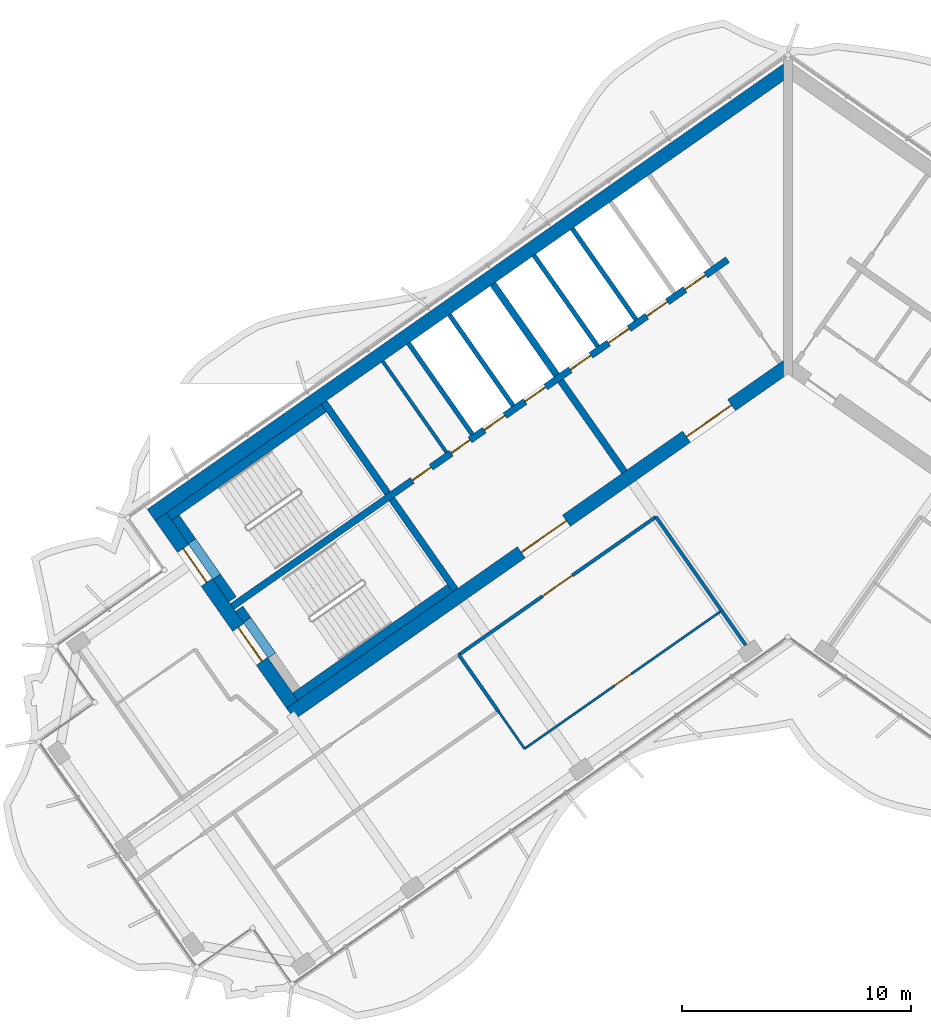
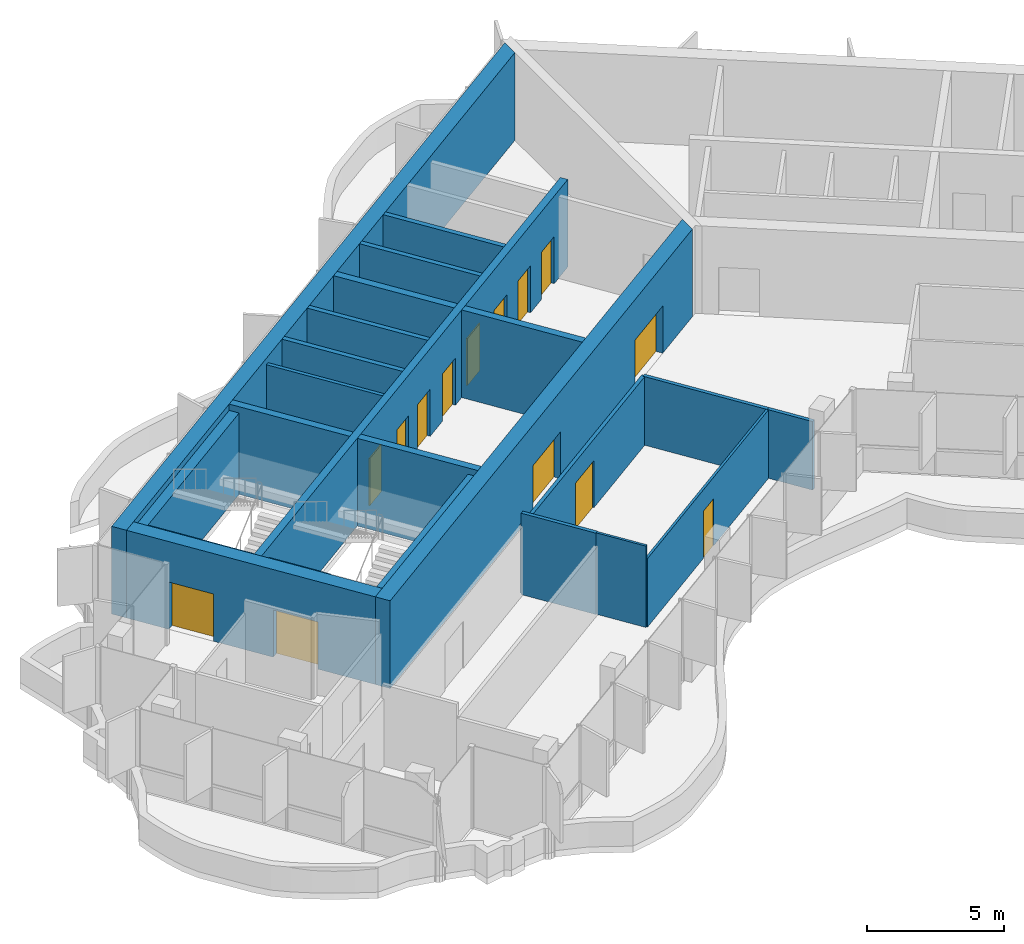
# One storey, part 9 of 17: 26 walls, 14 doors, 14 openings.
"""IFC4 building model written with IfcOpenShell, lengths in metres."""

import ifcopenshell
import ifcopenshell.guid

model = None  # the IFC model being written
_history = None  # IfcOwnerHistory: only IFC2X3 demands one
_inside = {}  # id of a spatial element -> (the spatial element, [elements in it])
_under = {}  # id of a project, library or spatial element -> (it, [spatial elements below it])
_declared = {}  # id of a project -> (the project, [libraries it declares])
_typed = {}  # id of a type object -> (the type object, [elements of that type])
_made_of = {}  # id of a material, layer set ... -> (it, [elements and type objects made of it])


def new_model(schema):
    """Start an empty IFC model of exactly this schema.

    Asked for "IFC4X3", IfcOpenShell would pick the latest addendum, in which some entities
    have other attributes; the version numbers below select the first issue.
    IFC2X3 requires an IfcOwnerHistory on every rooted entity: one is made here for all.
    """
    global model, _history
    if schema == "IFC4X3":
        model = ifcopenshell.file(schema_version=(4, 3, 0, 0))
    else:
        model = ifcopenshell.file(schema=schema)
    _inside.clear()
    _under.clear()
    _declared.clear()
    _typed.clear()
    _made_of.clear()
    _history = None
    if model.schema == "IFC2X3":
        org = make("IfcOrganization", Name="unknown")
        user = make(
            "IfcPersonAndOrganization",
            ThePerson=make("IfcPerson", FamilyName="unknown"),
            TheOrganization=org,
        )
        app = make(
            "IfcApplication",
            ApplicationDeveloper=org,
            Version="unknown",
            ApplicationFullName="unknown",
            ApplicationIdentifier="unknown",
        )
        _history = make(
            "IfcOwnerHistory",
            OwningUser=user,
            OwningApplication=app,
            ChangeAction="ADDED",
            CreationDate=0,
        )
    return model


def make(cls, **values):
    """One entity of the class cls with the attributes given. An attribute that is None is left unset."""
    return model.create_entity(
        cls, **{name: value for name, value in values.items() if value is not None}
    )


def rooted(cls, **values):
    """An entity with a GlobalId (a new one), such as an element, a storey or a relation."""
    return make(cls, GlobalId=ifcopenshell.guid.new(), OwnerHistory=_history, **values)


def si_unit(unit_type, name, prefix=None):
    """IfcSIUnit, for example si_unit("LENGTHUNIT", "METRE", prefix="MILLI")."""
    return make("IfcSIUnit", UnitType=unit_type, Prefix=prefix, Name=name)


def assignment(units):
    """IfcUnitAssignment: the units of a project."""
    return None if units is None else make("IfcUnitAssignment", Units=units)


def point(xyz):
    """IfcCartesianPoint."""
    return None if xyz is None else make("IfcCartesianPoint", Coordinates=xyz)


def direction(xyz):
    """IfcDirection."""
    return None if xyz is None else make("IfcDirection", DirectionRatios=xyz)


def frame(location, z_axis=None, x_axis=None):
    """IfcAxis2Placement3D, a coordinate frame: its origin and axes. An axis left out is left unset."""
    return make(
        "IfcAxis2Placement3D",
        Location=point(location),
        Axis=direction(z_axis),
        RefDirection=direction(x_axis),
    )


def frame_2d(location, x_axis=None):
    """IfcAxis2Placement2D, a coordinate frame in the plane: its origin and x axis."""
    return make(
        "IfcAxis2Placement2D", Location=point(location), RefDirection=direction(x_axis)
    )


def origin():
    """The frame at (0, 0, 0) with its axes left unset."""
    return frame((0.0, 0.0, 0.0))


def place(relative_to, where):
    """IfcLocalPlacement: puts the frame where relative to a parent placement (None: the world)."""
    return make(
        "IfcLocalPlacement", PlacementRelTo=relative_to, RelativePlacement=where
    )


def context(
    kind, dimensions, precision=None, world=None, true_north=None, identifier=None
):
    """IfcGeometricRepresentationContext, for example the 3D "Model" context."""
    return make(
        "IfcGeometricRepresentationContext",
        ContextIdentifier=identifier,
        ContextType=kind,
        CoordinateSpaceDimension=dimensions,
        Precision=precision,
        WorldCoordinateSystem=world,
        TrueNorth=true_north,
    )


def subcontext(parent, identifier, kind, view, scale=None):
    """IfcGeometricRepresentationSubContext, for example "Body" below "Model"."""
    return make(
        "IfcGeometricRepresentationSubContext",
        ContextIdentifier=identifier,
        ContextType=kind,
        ParentContext=parent,
        TargetScale=scale,
        TargetView=view,
    )


def project(units=None, contexts=None):
    """IfcProject with its units and contexts."""
    return rooted(
        "IfcProject",
        Name="project",
        RepresentationContexts=contexts,
        UnitsInContext=assignment(units),
    )


def spatial(cls, under=None, at=None, **own):
    """A site, building, storey or space (cls), placed at a placement, below another one or the project."""
    s = rooted(cls, ObjectPlacement=at, **own)
    if under is not None:
        _under.setdefault(under.id(), (under, []))[1].append(s)
    return s


def polyline(points):
    """IfcPolyline through the points."""
    return make("IfcPolyline", Points=[point(p) for p in points])


def profile(cls, at=None, kind="AREA", **sizes):
    """A parametric profile (cls). Its sizes go by their IFC names, for example OverallWidth=200.0."""
    return make(cls, ProfileType=kind, Position=at, **sizes)


def rectangle(**sizes):
    """IfcRectangleProfileDef."""
    return profile("IfcRectangleProfileDef", **sizes)


def outline(outer, holes=None, kind="AREA"):
    """IfcArbitraryClosedProfileDef: a profile drawn as a closed curve; with holes, ...WithVoids."""
    if holes is None:
        return make("IfcArbitraryClosedProfileDef", ProfileType=kind, OuterCurve=outer)
    return make(
        "IfcArbitraryProfileDefWithVoids",
        ProfileType=kind,
        OuterCurve=outer,
        InnerCurves=holes,
    )


def extrude(swept, where, along, depth):
    """IfcExtrudedAreaSolid: the profile swept, set in the frame where, extruded along a direction by depth."""
    return make(
        "IfcExtrudedAreaSolid",
        SweptArea=swept,
        Position=where,
        ExtrudedDirection=direction(along),
        Depth=depth,
    )


def shape(context_of_items, identifier, shape_type, items):
    """IfcShapeRepresentation: the items that make up one representation, for example the "Body"."""
    return make(
        "IfcShapeRepresentation",
        ContextOfItems=context_of_items,
        RepresentationIdentifier=identifier,
        RepresentationType=shape_type,
        Items=items,
    )


def material(Name=None, Category=None):
    """IfcMaterial."""
    return make("IfcMaterial", Name=Name, Category=Category)


def layer(
    of_material, thickness, ventilated=None, Name=None, Category=None, Priority=None
):
    """IfcMaterialLayer: one layer of a wall or slab, of a material (None: an air gap)."""
    return make(
        "IfcMaterialLayer",
        Material=of_material,
        LayerThickness=thickness,
        IsVentilated=ventilated,
        Name=Name,
        Category=Category,
        Priority=Priority,
    )


def layer_set(layers, Name=None):
    """IfcMaterialLayerSet."""
    return make("IfcMaterialLayerSet", MaterialLayers=layers, LayerSetName=Name)


def made_of(thing, what):
    """Note that an element or type object is made of a material, layer set ...; save() writes the relation."""
    if what is not None:
        _made_of.setdefault(what.id(), (what, []))[1].append(thing)
    return thing


def type_object(cls, material=None, **own):
    """A type object (cls), such as IfcWallType, which elements share."""
    return made_of(rooted(cls, **own), material)


def element(
    cls,
    number,
    at=None,
    inside=None,
    cuts=None,
    type_object=None,
    material=None,
    context=None,
    identifier="Body",
    shape_type=None,
    held_by="IfcProductDefinitionShape",
    body=None,
    shapes=None,
    **own,
):
    """One element of the class cls, such as IfcWall. Its Tag is "e" and its number.

    at: its placement. inside: the storey or other place that contains it. cuts: it is an
    opening in that element (IfcRelVoidsElement). A single representation is given by context,
    identifier, shape_type and body (its items); several are given by shapes. held_by: the class
    of the entity that holds the representations. save() writes the other relations.
    """
    e = rooted(cls, Tag="e%d" % number, ObjectPlacement=at, **own)
    if body is not None:
        shapes = [shape(context, identifier, shape_type, body)]
    if shapes is not None:
        e.Representation = make(held_by, Representations=shapes)
    if inside is not None:
        _inside.setdefault(inside.id(), (inside, []))[1].append(e)
    if cuts is not None:
        rooted(
            "IfcRelVoidsElement", RelatingBuildingElement=cuts, RelatedOpeningElement=e
        )
    if type_object is not None:
        _typed.setdefault(type_object.id(), (type_object, []))[1].append(e)
    return made_of(e, material)


def fill(opening, filler):
    """IfcRelFillsElement: the door or window that sits in an opening."""
    return rooted(
        "IfcRelFillsElement",
        RelatingOpeningElement=opening,
        RelatedBuildingElement=filler,
    )


def aggregate(whole, parts):
    """IfcRelAggregates: a whole, such as a stair, and the parts it consists of."""
    return rooted("IfcRelAggregates", RelatingObject=whole, RelatedObjects=parts)


def save(model, path):
    """Write the relations noted so far, then the file.

    IfcRelAggregates (storeys below a building ...), IfcRelContainedInSpatialStructure (elements
    in a storey), IfcRelDefinesByType, IfcRelAssociatesMaterial and IfcRelDeclares: one each for
    every whole, place, type object, material and project.
    """
    for whole, parts in _under.values():
        aggregate(whole, parts)
    for where, things in _inside.values():
        rooted(
            "IfcRelContainedInSpatialStructure",
            RelatedElements=things,
            RelatingStructure=where,
        )
    for kind, things in _typed.values():
        rooted("IfcRelDefinesByType", RelatedObjects=things, RelatingType=kind)
    for what, things in _made_of.values():
        rooted("IfcRelAssociatesMaterial", RelatedObjects=things, RelatingMaterial=what)
    for by, libraries in _declared.values():
        rooted("IfcRelDeclares", RelatingContext=by, RelatedDefinitions=libraries)
    model.write(path)


model = new_model("IFC4")

# Units and contexts
model_context = context("Model", 3, precision=1e-05, world=origin(), true_north=direction((0.0, 1.0)))
body_context = subcontext(model_context, "Body", "Model", "MODEL_VIEW")
ifc_project = project(units=[si_unit("LENGTHUNIT", "METRE"), si_unit("AREAUNIT", "SQUARE_METRE"), si_unit("VOLUMEUNIT", "CUBIC_METRE"), si_unit("PLANEANGLEUNIT", "RADIAN"), si_unit("MASSUNIT", "GRAM", prefix="KILO")], contexts=[model_context])

# Site, building, storey
site_placement = place(None, origin())
site = spatial("IfcSite", under=ifc_project, at=site_placement, CompositionType="ELEMENT")
building_placement = place(site_placement, origin())
building = spatial("IfcBuilding", under=site, at=building_placement, Name="Tel Ilan Convention Tower", CompositionType="ELEMENT")
storey_placement = place(building_placement, frame((0.0, 0.0, 287.800048828125)))
storey = spatial("IfcBuildingStorey", under=building, at=storey_placement, Name="L68", CompositionType="ELEMENT", Elevation=287.800048828125)

# Walls
ifc_material_1 = material(Name="Gypsum Plasterboard on Steel Stud", Category="steel")
ifc_layer_1 = layer(ifc_material_1, 0.14990234375)
ifc_layer_set_1 = layer_set([ifc_layer_1], Name="Core Room Partition Wall 150 mm EI 60")
wall_type_1 = type_object("IfcWallType", Name="Core Room Partition Wall 150 mm EI 60", PredefinedType="PARTITIONING", material=ifc_layer_set_1)
wall_1_placement = place(storey_placement, frame((-14.909423828125, -4.64111328125, 0.0), z_axis=(0.0, 0.0, 1.0), x_axis=(-0.573560315113, 0.819163332265, 0.0)))
element("IfcWall", 1, at=wall_1_placement, inside=storey, type_object=wall_type_1, Name="L68 core wall bank-W2-split", PredefinedType="PARTITIONING", context=body_context, shape_type="SweptSolid", body=[
    extrude(rectangle(XDim=4.849853515625, YDim=0.14990234375, at=frame_2d((2.4248046875, 0.0))), origin(), (0.0, 0.0, 1.0), 3.619873046875),
])
ifc_material_2 = material(Name="Concrete C40/50", Category="concrete")
ifc_layer_2 = layer(ifc_material_2, 0.300048828125)
ifc_layer_set_2 = layer_set([ifc_layer_2], Name="Core Shear Wall 300 mm C40/50")
wall_type_2 = type_object("IfcWallType", Name="Core Shear Wall 300 mm C40/50", PredefinedType="SHEAR", material=ifc_layer_set_2)
wall_2_placement = place(storey_placement, frame((-7.142822265625, -5.48974609375, 0.0), z_axis=(0.0, 0.0, 1.0), x_axis=(-0.573617744349, 0.819123118565, 0.0)))
element("IfcWall", 2, at=wall_2_placement, inside=storey, type_object=wall_type_2, Name="L68 core wall W-cross1-1", PredefinedType="SHEAR", context=body_context, shape_type="SweptSolid", body=[
    extrude(outline(polyline([(4.85009765625, 0.14990234375), (0.0, 0.150146484375), (0.0, -0.14990234375), (4.85009765625, -0.150146484375), (4.85009765625, 0.14990234375)])), origin(), (0.0, 0.0, 1.0), 3.89990234375),
])
wall_3_placement = place(storey_placement, frame((-10.096923828125, -1.271240234375, 0.0), z_axis=(0.0, 0.0, 1.0), x_axis=(-0.573560315113, 0.819163332265, 0.0)))
element("IfcWall", 3, at=wall_3_placement, inside=storey, type_object=wall_type_2, Name="L68 core wall W-cross1-2", PredefinedType="SHEAR", context=body_context, shape_type="SweptSolid", body=[
    extrude(outline(polyline([(4.849853515625, -0.14990234375), (4.849853515625, 0.150146484375), (0.0, 0.14990234375), (0.0, -0.150146484375), (4.849853515625, -0.14990234375)])), origin(), (0.0, 0.0, 1.0), 3.89990234375),
])
wall_4_placement = place(storey_placement, frame((-14.515380859375, -10.652099609375, 0.0), z_axis=(0.0, 0.0, 1.0), x_axis=(-0.573560315113, 0.819163332265, 0.0)))
element("IfcWall", 4, at=wall_4_placement, inside=storey, type_object=wall_type_2, Name="L68 core wall W-cross2-1", PredefinedType="SHEAR", context=body_context, shape_type="SweptSolid", body=[
    extrude(outline(polyline([(4.85009765625, 0.14990234375), (0.0, 0.14990234375), (0.0, -0.150146484375), (4.85009765625, -0.14990234375), (4.85009765625, 0.14990234375)])), origin(), (0.0, 0.0, 1.0), 3.89990234375),
])
wall_5_placement = place(storey_placement, frame((-17.46923828125, -6.433349609375, 0.0), z_axis=(0.0, 0.0, 1.0), x_axis=(-0.573594092424, 0.81913968109, 0.0)))
element("IfcWall", 5, at=wall_5_placement, inside=storey, type_object=wall_type_2, Name="L68 core wall W-cross2-2", PredefinedType="SHEAR", context=body_context, shape_type="SweptSolid", body=[
    extrude(outline(polyline([(4.849853515625, -0.150146484375), (4.849853515625, 0.14990234375), (0.0, 0.14990234375), (0.0, -0.14990234375), (4.849853515625, -0.150146484375)])), origin(), (0.0, 0.0, 1.0), 3.89990234375),
])

# Wall, openings, doors
wall_6_placement = place(storey_placement, frame((-2.638427734375, 3.76806640625, 0.0), z_axis=(0.0, 0.0, 1.0), x_axis=(-0.819155014212, -0.573572194837, 0.0)))
wall_6 = element("IfcWall", 6, at=wall_6_placement, inside=storey, type_object=wall_type_2, Name="L68 core wall W-spine", PredefinedType="SHEAR", context=body_context, shape_type="SweptSolid", body=[
    extrude(outline(polyline([(26.39990234375, 0.150146484375), (0.0, 0.14990234375), (0.0, -0.150146484375), (26.39990234375, -0.14990234375), (26.39990234375, 0.150146484375)])), origin(), (0.0, 0.0, 1.0), 3.89990234375),
])
opening_1_placement = place(wall_6_placement, frame((1.168701171875, 0.0, 0.0)))
opening_1 = element("IfcOpeningElement", 7, at=opening_1_placement, cuts=wall_6, Name="Opening LD5104", PredefinedType="OPENING", context=body_context, shape_type="SweptSolid", body=[
    extrude(rectangle(XDim=1.10009765625, YDim=2.10009765625, at=frame_2d((0.550048828125, 1.050048828125))), frame((0.0, 0.159912109375, 0.0), z_axis=(0.0, -1.0, 0.0), x_axis=(1.0, 0.0, 0.0)), (0.0, 0.0, 1.0), 0.320068359375),
])
opening_2_placement = place(wall_6_placement, frame((3.206298828125, 0.0, 0.0)))
opening_2 = element("IfcOpeningElement", 8, at=opening_2_placement, cuts=wall_6, Name="Opening LD5105", PredefinedType="OPENING", context=body_context, shape_type="SweptSolid", body=[
    extrude(rectangle(XDim=1.10009765625, YDim=2.10009765625, at=frame_2d((0.550048828125, 1.050048828125))), frame((0.0, 0.159912109375, 0.0), z_axis=(0.0, -1.0, 0.0), x_axis=(1.0, 0.0, 0.0)), (0.0, 0.0, 1.0), 0.320068359375),
])
opening_3_placement = place(wall_6_placement, frame((5.24365234375, 0.0, 0.0)))
opening_3 = element("IfcOpeningElement", 9, at=opening_3_placement, cuts=wall_6, Name="Opening LD5106", PredefinedType="OPENING", context=body_context, shape_type="SweptSolid", body=[
    extrude(rectangle(XDim=1.10009765625, YDim=2.10009765625, at=frame_2d((0.550048828125, 1.050048828125))), frame((0.0, 0.159912109375, 0.0), z_axis=(0.0, -1.0, 0.0), x_axis=(1.0, 0.0, 0.0)), (0.0, 0.0, 1.0), 0.320068359375),
])
opening_4_placement = place(wall_6_placement, frame((7.28125, 0.0, 0.0)))
opening_4 = element("IfcOpeningElement", 10, at=opening_4_placement, cuts=wall_6, Name="Opening LD5107", PredefinedType="OPENING", context=body_context, shape_type="SweptSolid", body=[
    extrude(rectangle(XDim=1.10009765625, YDim=2.10009765625, at=frame_2d((0.550048828125, 1.050048828125))), frame((0.0, 0.159912109375, 0.0), z_axis=(0.0, -1.0, 0.0), x_axis=(1.0, 0.0, 0.0)), (0.0, 0.0, 1.0), 0.320068359375),
])
opening_5_placement = place(wall_6_placement, frame((9.6875, 0.0, 0.0)))
opening_5 = element("IfcOpeningElement", 11, at=opening_5_placement, cuts=wall_6, Name="Opening LD5108", PredefinedType="OPENING", context=body_context, shape_type="SweptSolid", body=[
    extrude(rectangle(XDim=1.10009765625, YDim=2.10009765625, at=frame_2d((0.550048828125, 1.050048828125))), frame((0.0, 0.159912109375, 0.0), z_axis=(0.0, -1.0, 0.0), x_axis=(1.0, 0.0, 0.0)), (0.0, 0.0, 1.0), 0.320068359375),
])
opening_6_placement = place(wall_6_placement, frame((11.862548828125, 0.0, 0.0)))
opening_6 = element("IfcOpeningElement", 12, at=opening_6_placement, cuts=wall_6, Name="Opening LD5109", PredefinedType="OPENING", context=body_context, shape_type="SweptSolid", body=[
    extrude(rectangle(XDim=1.10009765625, YDim=2.10009765625, at=frame_2d((0.550048828125, 1.050048828125))), frame((0.0, 0.159912109375, 0.0), z_axis=(0.0, -1.0, 0.0), x_axis=(1.0, 0.0, 0.0)), (0.0, 0.0, 1.0), 0.320068359375),
])
opening_7_placement = place(wall_6_placement, frame((13.722412109375, 0.0, 0.0)))
opening_7 = element("IfcOpeningElement", 13, at=opening_7_placement, cuts=wall_6, Name="Opening CD5109", PredefinedType="OPENING", context=body_context, shape_type="SweptSolid", body=[
    extrude(rectangle(XDim=1.0, YDim=2.10009765625, at=frame_2d((0.5, 1.050048828125))), frame((0.0, 0.159912109375, 0.0), z_axis=(0.0, -1.0, 0.0), x_axis=(1.0, 0.0, 0.0)), (0.0, 0.0, 1.0), 0.320068359375),
])
opening_8_placement = place(wall_6_placement, frame((15.797607421875, 0.0, 0.0)))
opening_8 = element("IfcOpeningElement", 14, at=opening_8_placement, cuts=wall_6, Name="Opening CD5110", PredefinedType="OPENING", context=body_context, shape_type="SweptSolid", body=[
    extrude(rectangle(XDim=1.0, YDim=2.10009765625, at=frame_2d((0.5, 1.050048828125))), frame((0.0, 0.159912109375, 0.0), z_axis=(0.0, -1.0, 0.0), x_axis=(1.0, 0.0, 0.0)), (0.0, 0.0, 1.0), 0.320068359375),
])
ifc_material_3 = material(Name="Stainless Steel Sliding Door Leaf", Category="steel")
door_type_1 = type_object("IfcDoorType", Name="Lift Landing Door 1100 x 2100 FD120", OperationType="NOTDEFINED", PredefinedType="DOOR", material=ifc_material_3)
door_1_placement = place(opening_1_placement, origin())
door_1 = element("IfcDoor", 15, at=door_1_placement, inside=storey, type_object=door_type_1, Name="Lift HR1 landing door", OperationType="SLIDING_TO_LEFT", OverallHeight=2.10009765625, OverallWidth=1.10009765625, PredefinedType="DOOR", context=body_context, shape_type="SweptSolid", body=[
    extrude(rectangle(XDim=1.10009765625, YDim=2.10009765625, at=frame_2d((0.550048828125, 1.050048828125))), frame((0.0, 0.02490234375, 0.0), z_axis=(0.0, -1.0, 0.0), x_axis=(1.0, 0.0, 0.0)), (0.0, 0.0, 1.0), 0.050048828125),
])
fill(opening_1, door_1)
door_2_placement = place(opening_2_placement, origin())
door_2 = element("IfcDoor", 16, at=door_2_placement, inside=storey, type_object=door_type_1, Name="Lift HR2 landing door", OperationType="SLIDING_TO_RIGHT", OverallHeight=2.10009765625, OverallWidth=1.10009765625, PredefinedType="DOOR", context=body_context, shape_type="SweptSolid", body=[
    extrude(rectangle(XDim=1.10009765625, YDim=2.10009765625, at=frame_2d((0.550048828125, 1.050048828125))), frame((0.0, 0.02490234375, 0.0), z_axis=(0.0, -1.0, 0.0), x_axis=(1.0, 0.0, 0.0)), (0.0, 0.0, 1.0), 0.050048828125),
])
fill(opening_2, door_2)
door_3_placement = place(opening_3_placement, origin())
door_3 = element("IfcDoor", 17, at=door_3_placement, inside=storey, type_object=door_type_1, Name="Lift HR3 landing door", OperationType="SLIDING_TO_LEFT", OverallHeight=2.10009765625, OverallWidth=1.10009765625, PredefinedType="DOOR", context=body_context, shape_type="SweptSolid", body=[
    extrude(rectangle(XDim=1.10009765625, YDim=2.10009765625, at=frame_2d((0.550048828125, 1.050048828125))), frame((0.0, 0.02490234375, 0.0), z_axis=(0.0, -1.0, 0.0), x_axis=(1.0, 0.0, 0.0)), (0.0, 0.0, 1.0), 0.050048828125),
])
fill(opening_3, door_3)
door_4_placement = place(opening_4_placement, origin())
door_4 = element("IfcDoor", 18, at=door_4_placement, inside=storey, type_object=door_type_1, Name="Lift HR4 landing door", OperationType="SLIDING_TO_RIGHT", OverallHeight=2.10009765625, OverallWidth=1.10009765625, PredefinedType="DOOR", context=body_context, shape_type="SweptSolid", body=[
    extrude(rectangle(XDim=1.10009765625, YDim=2.10009765625, at=frame_2d((0.550048828125, 1.050048828125))), frame((0.0, 0.02490234375, 0.0), z_axis=(0.0, -1.0, 0.0), x_axis=(1.0, 0.0, 0.0)), (0.0, 0.0, 1.0), 0.050048828125),
])
fill(opening_4, door_4)
door_5_placement = place(opening_5_placement, origin())
door_5 = element("IfcDoor", 19, at=door_5_placement, inside=storey, type_object=door_type_1, Name="Lift HR5 landing door", OperationType="SLIDING_TO_LEFT", OverallHeight=2.10009765625, OverallWidth=1.10009765625, PredefinedType="DOOR", context=body_context, shape_type="SweptSolid", body=[
    extrude(rectangle(XDim=1.10009765625, YDim=2.10009765625, at=frame_2d((0.550048828125, 1.050048828125))), frame((0.0, 0.02490234375, 0.0), z_axis=(0.0, -1.0, 0.0), x_axis=(1.0, 0.0, 0.0)), (0.0, 0.0, 1.0), 0.050048828125),
])
fill(opening_5, door_5)
door_6_placement = place(opening_6_placement, origin())
door_6 = element("IfcDoor", 20, at=door_6_placement, inside=storey, type_object=door_type_1, Name="Lift HR6 landing door", OperationType="SLIDING_TO_RIGHT", OverallHeight=2.10009765625, OverallWidth=1.10009765625, PredefinedType="DOOR", context=body_context, shape_type="SweptSolid", body=[
    extrude(rectangle(XDim=1.10009765625, YDim=2.10009765625, at=frame_2d((0.550048828125, 1.050048828125))), frame((0.0, 0.02490234375, 0.0), z_axis=(0.0, -1.0, 0.0), x_axis=(1.0, 0.0, 0.0)), (0.0, 0.0, 1.0), 0.050048828125),
])
fill(opening_6, door_6)
ifc_material_4 = material(Name="Galvanised Steel Door Leaf", Category="steel")
door_type_2 = type_object("IfcDoorType", Name="Service Room Door 1000 x 2100 FD60", OperationType="NOTDEFINED", PredefinedType="DOOR", material=ifc_material_4)
door_7_placement = place(opening_7_placement, origin())
door_7 = element("IfcDoor", 21, at=door_7_placement, inside=storey, type_object=door_type_2, Name="Plant Room door", OperationType="SINGLE_SWING_RIGHT", OverallHeight=2.10009765625, OverallWidth=1.0, PredefinedType="DOOR", context=body_context, shape_type="SweptSolid", body=[
    extrude(rectangle(XDim=1.0, YDim=2.10009765625, at=frame_2d((0.5, 1.050048828125))), frame((0.0, 0.02490234375, 0.0), z_axis=(0.0, -1.0, 0.0), x_axis=(1.0, 0.0, 0.0)), (0.0, 0.0, 1.0), 0.050048828125),
])
fill(opening_7, door_7)
door_8_placement = place(opening_8_placement, origin())
door_8 = element("IfcDoor", 22, at=door_8_placement, inside=storey, type_object=door_type_2, Name="Plant Room door", OperationType="SINGLE_SWING_RIGHT", OverallHeight=2.10009765625, OverallWidth=1.0, PredefinedType="DOOR", context=body_context, shape_type="SweptSolid", body=[
    extrude(rectangle(XDim=1.0, YDim=2.10009765625, at=frame_2d((0.5, 1.050048828125))), frame((0.0, 0.02490234375, 0.0), z_axis=(0.0, -1.0, 0.0), x_axis=(1.0, 0.0, 0.0)), (0.0, 0.0, 1.0), 0.050048828125),
])
fill(opening_8, door_8)

# Wall
ifc_material_5 = material(Name="Concrete C40/50", Category="concrete")
ifc_layer_3 = layer(ifc_material_5, 0.60009765625)
ifc_layer_set_3 = layer_set([ifc_layer_3], Name="Core Shear Wall 600 mm C40/50")
wall_type_3 = type_object("IfcWallType", Name="Core Shear Wall 600 mm C40/50", PredefinedType="SHEAR", material=ifc_layer_set_3)
wall_7_placement = place(storey_placement, frame((-0.02783203125, 12.066162109375, 0.0), z_axis=(0.0, 0.0, 1.0), x_axis=(-0.819151382952, -0.573577380837, 0.0)))
element("IfcWall", 23, at=wall_7_placement, inside=storey, type_object=wall_type_3, Name="L68 core wall W-back", PredefinedType="SHEAR", context=body_context, shape_type="SweptSolid", body=[
    extrude(outline(polyline([(33.89794921875, 0.300048828125), (0.420166015625, 0.300048828125), (0.0, -0.300048828125), (33.898193359375, -0.300048828125), (33.89794921875, 0.300048828125)])), origin(), (0.0, 0.0, 1.0), 3.89990234375),
])

# Wall, openings, doors
wall_8_placement = place(storey_placement, frame((-0.02783203125, -0.8740234375, 0.0), z_axis=(0.0, 0.0, 1.0), x_axis=(-0.819150035022, -0.573579305871, 0.0)))
wall_8 = element("IfcWall", 24, at=wall_8_placement, inside=storey, type_object=wall_type_3, Name="L68 core wall W-front", PredefinedType="SHEAR", context=body_context, shape_type="SweptSolid", body=[
    extrude(outline(polyline([(26.475830078125, 0.2998046875), (0.420166015625, 0.300048828125), (0.000244140625, -0.300048828125), (26.475830078125, -0.300048828125), (26.475830078125, 0.2998046875)])), origin(), (0.0, 0.0, 1.0), 3.89990234375),
])
opening_9_placement = place(wall_8_placement, frame((2.975830078125, 0.0, 0.0)))
opening_9 = element("IfcOpeningElement", 25, at=opening_9_placement, cuts=wall_8, Name="Opening CD5106", PredefinedType="OPENING", context=body_context, shape_type="SweptSolid", body=[
    extrude(rectangle(XDim=2.39990234375, YDim=2.10009765625, at=frame_2d((1.199951171875, 1.050048828125))), frame((0.0, 0.31005859375, 0.0), z_axis=(0.0, -1.0, 0.0), x_axis=(1.0, 0.0, 0.0)), (0.0, 0.0, 1.0), 0.6201171875),
])
opening_10_placement = place(wall_8_placement, frame((11.77587890625, 0.0, 0.0)))
opening_10 = element("IfcOpeningElement", 26, at=opening_10_placement, cuts=wall_8, Name="Opening CD5107", PredefinedType="OPENING", context=body_context, shape_type="SweptSolid", body=[
    extrude(rectangle(XDim=2.39990234375, YDim=2.10009765625, at=frame_2d((1.199951171875, 1.050048828125))), frame((0.0, 0.31005859375, 0.0), z_axis=(0.0, -1.0, 0.0), x_axis=(1.0, 0.0, 0.0)), (0.0, 0.0, 1.0), 0.6201171875),
])
ifc_material_6 = material(Name="Glazed Aluminium Door Leaf", Category="aluminium")
door_type_3 = type_object("IfcDoorType", Name="Lobby Opening Door 2400 x 2100 FD60S", OperationType="NOTDEFINED", PredefinedType="DOOR", material=ifc_material_6)
door_9_placement = place(opening_9_placement, origin())
door_9 = element("IfcDoor", 27, at=door_9_placement, inside=storey, type_object=door_type_3, Name="Lift Lobby HR1-HR4 opening", OperationType="DOUBLE_DOOR_SINGLE_SWING", OverallHeight=2.10009765625, OverallWidth=2.39990234375, PredefinedType="DOOR", context=body_context, shape_type="SweptSolid", body=[
    extrude(rectangle(XDim=2.39990234375, YDim=2.10009765625, at=frame_2d((1.199951171875, 1.050048828125))), frame((0.0, 0.02490234375, 0.0), z_axis=(0.0, -1.0, 0.0), x_axis=(1.0, 0.0, 0.0)), (0.0, 0.0, 1.0), 0.050048828125),
])
fill(opening_9, door_9)
door_10_placement = place(opening_10_placement, origin())
door_10 = element("IfcDoor", 28, at=door_10_placement, inside=storey, type_object=door_type_3, Name="Lift Lobby HR5-HR6 opening", OperationType="DOUBLE_DOOR_SINGLE_SWING", OverallHeight=2.10009765625, OverallWidth=2.39990234375, PredefinedType="DOOR", context=body_context, shape_type="SweptSolid", body=[
    extrude(rectangle(XDim=2.39990234375, YDim=2.10009765625, at=frame_2d((1.199951171875, 1.050048828125))), frame((0.0, 0.02490234375, 0.0), z_axis=(0.0, -1.0, 0.0), x_axis=(1.0, 0.0, 0.0)), (0.0, 0.0, 1.0), 0.050048828125),
])
fill(opening_10, door_10)

wall_9_placement = place(storey_placement, frame((-21.641845703125, -15.64208984375, 0.0), z_axis=(0.0, 0.0, 1.0), x_axis=(-0.573586866468, 0.819144740944, 0.0)))
wall_9 = element("IfcWall", 29, at=wall_9_placement, inside=storey, type_object=wall_type_3, Name="L68 core wall W-end", PredefinedType="SHEAR", context=body_context, shape_type="SweptSolid", body=[
    extrude(outline(polyline([(0.0, 0.300048828125), (0.0, -0.2998046875), (10.0, -0.300048828125), (10.0, 0.300048828125), (0.0, 0.300048828125)])), origin(), (0.0, 0.0, 1.0), 3.89990234375),
])
opening_11_placement = place(wall_9_placement, frame((6.5, 0.0, 0.0)))
opening_11 = element("IfcOpeningElement", 30, at=opening_11_placement, cuts=wall_9, Name="Opening SD5101", PredefinedType="OPENING", context=body_context, shape_type="SweptSolid", body=[
    extrude(rectangle(XDim=1.800048828125, YDim=2.10009765625, at=frame_2d((0.89990234375, 1.050048828125))), frame((0.0, 0.31005859375, 0.0), z_axis=(0.0, -1.0, 0.0), x_axis=(1.0, 0.0, 0.0)), (0.0, 0.0, 1.0), 0.6201171875),
])
opening_12_placement = place(wall_9_placement, frame((2.300048828125, 0.0, 0.0)))
opening_12 = element("IfcOpeningElement", 31, at=opening_12_placement, cuts=wall_9, Name="Opening SD5102", PredefinedType="OPENING", context=body_context, shape_type="SweptSolid", body=[
    extrude(rectangle(XDim=1.800048828125, YDim=2.10009765625, at=frame_2d((0.89990234375, 1.050048828125))), frame((0.0, 0.31005859375, 0.0), z_axis=(0.0, -1.0, 0.0), x_axis=(1.0, 0.0, 0.0)), (0.0, 0.0, 1.0), 0.6201171875),
])
ifc_material_7 = material(Name="Galvanised Steel Door Leaf", Category="steel")
door_type_4 = type_object("IfcDoorType", Name="Stair Fire Door 1800 x 2100 FD60S", OperationType="NOTDEFINED", PredefinedType="DOOR", material=ifc_material_7)
door_11_placement = place(opening_11_placement, origin())
door_11 = element("IfcDoor", 32, at=door_11_placement, inside=storey, type_object=door_type_4, Name="Stair S1 door", OperationType="DOUBLE_DOOR_SINGLE_SWING", OverallHeight=2.10009765625, OverallWidth=1.800048828125, PredefinedType="DOOR", context=body_context, shape_type="SweptSolid", body=[
    extrude(rectangle(XDim=1.800048828125, YDim=2.10009765625, at=frame_2d((0.89990234375, 1.050048828125))), frame((0.0, 0.02490234375, 0.0), z_axis=(0.0, -1.0, 0.0), x_axis=(1.0, 0.0, 0.0)), (0.0, 0.0, 1.0), 0.050048828125),
])
fill(opening_11, door_11)
door_12_placement = place(opening_12_placement, origin())
door_12 = element("IfcDoor", 33, at=door_12_placement, inside=storey, type_object=door_type_4, Name="Stair S2 door", OperationType="DOUBLE_DOOR_SINGLE_SWING", OverallHeight=2.10009765625, OverallWidth=1.800048828125, PredefinedType="DOOR", context=body_context, shape_type="SweptSolid", body=[
    extrude(rectangle(XDim=1.800048828125, YDim=2.10009765625, at=frame_2d((0.89990234375, 1.050048828125))), frame((0.0, 0.02490234375, 0.0), z_axis=(0.0, -1.0, 0.0), x_axis=(1.0, 0.0, 0.0)), (0.0, 0.0, 1.0), 0.050048828125),
])
fill(opening_12, door_12)

# Wall, opening, door
ifc_material_8 = material(Name="Plasterboard on Steel Studs", Category="steel")
ifc_layer_4 = layer(ifc_material_8, 0.14990234375)
ifc_layer_set_4 = layer_set([ifc_layer_4], Name="Fire-rated Partition 150 EI 60")
wall_type_4 = type_object("IfcWallType", Name="Fire-rated Partition 150 EI 60", PredefinedType="PARTITIONING", material=ifc_layer_set_4)
wall_10_placement = place(storey_placement, frame((-5.766357421875, -7.455810546875, 0.0), z_axis=(0.0, 0.0, 1.0), x_axis=(-0.819154371039, -0.573573113393, 0.0)))
wall_10 = element("IfcWall", 34, at=wall_10_placement, inside=storey, type_object=wall_type_4, Name="Partition 008", PredefinedType="PARTITIONING", context=body_context, shape_type="SweptSolid", body=[
    extrude(rectangle(XDim=10.501953125, YDim=0.14990234375, at=frame_2d((5.2509765625, 0.0))), origin(), (0.0, 0.0, 1.0), 3.050048828125),
])
opening_13_placement = place(wall_10_placement, frame((4.450927734375, 0.0, 0.0)))
opening_13 = element("IfcOpeningElement", 35, at=opening_13_placement, cuts=wall_10, Name="Opening L68-001", PredefinedType="OPENING", context=body_context, shape_type="SweptSolid", body=[
    extrude(rectangle(XDim=1.60009765625, YDim=2.10009765625, at=frame_2d((0.800048828125, 1.050048828125))), frame((0.0, 0.0849609375, 0.0), z_axis=(0.0, -1.0, 0.0), x_axis=(1.0, 0.0, 0.0)), (0.0, 0.0, 1.0), 0.169921875),
])
ifc_material_9 = material(Name="Timber Door Leaf in Steel Frame", Category="steel")
door_type_5 = type_object("IfcDoorType", Name="Tenant Suite Entrance Fire Door 1600x2100", OperationType="NOTDEFINED", PredefinedType="DOOR", material=ifc_material_9)
door_13_placement = place(opening_13_placement, origin())
door_13 = element("IfcDoor", 36, at=door_13_placement, inside=storey, type_object=door_type_5, Name="Door L68-001", OperationType="DOUBLE_DOOR_SINGLE_SWING", OverallHeight=2.10009765625, OverallWidth=1.60009765625, PredefinedType="DOOR", context=body_context, shape_type="SweptSolid", body=[
    extrude(rectangle(XDim=1.60009765625, YDim=2.10009765625, at=frame_2d((0.800048828125, 1.050048828125))), frame((0.0, 0.02490234375, 0.0), z_axis=(0.0, -1.0, 0.0), x_axis=(1.0, 0.0, 0.0)), (0.0, 0.0, 1.0), 0.050048828125),
])
fill(opening_13, door_13)

# Walls
wall_11_placement = place(storey_placement, frame((-1.848876953125, -13.050537109375, 0.0), z_axis=(0.0, 0.0, 1.0), x_axis=(-0.573542889209, 0.819175533227, 0.0)))
element("IfcWall", 37, at=wall_11_placement, inside=storey, type_object=wall_type_4, Name="Partition 018", PredefinedType="PARTITIONING", context=body_context, shape_type="SweptSolid", body=[
    extrude(rectangle(XDim=1.830810546875, YDim=0.14990234375, at=frame_2d((0.91552734375, 0.0))), origin(), (0.0, 0.0, 1.0), 3.050048828125),
])
wall_12_placement = place(storey_placement, frame((-2.897216796875, -11.55322265625, 0.0), z_axis=(0.0, 0.0, 1.0), x_axis=(-0.573593309886, 0.819140229054, 0.0)))
element("IfcWall", 38, at=wall_12_placement, inside=storey, type_object=wall_type_4, Name="Partition 019", PredefinedType="PARTITIONING", context=body_context, shape_type="SweptSolid", body=[
    extrude(rectangle(XDim=5.004150390625, YDim=0.14990234375, at=frame_2d((2.501953125, 0.0))), origin(), (0.0, 0.0, 1.0), 3.050048828125),
])
wall_13_placement = place(storey_placement, frame((-12.6455078125, -15.9375, 0.0), z_axis=(0.0, 0.0, 1.0), x_axis=(-0.573604249862, 0.819132568355, 0.0)))
element("IfcWall", 39, at=wall_13_placement, inside=storey, type_object=wall_type_4, Name="Partition 030", PredefinedType="PARTITIONING", context=body_context, shape_type="SweptSolid", body=[
    extrude(rectangle(XDim=3.001953125, YDim=0.14990234375, at=frame_2d((1.5009765625, 0.0))), origin(), (0.0, 0.0, 1.0), 3.619873046875),
])
ifc_material_10 = material(Name="Concrete C30/37", Category="concrete")
ifc_layer_5 = layer(ifc_material_10, 0.199951171875)
ifc_layer_set_5 = layer_set([ifc_layer_5], Name="Lift Shaft Wall 200 mm C30/37")
wall_type_5 = type_object("IfcWallType", Name="Lift Shaft Wall 200 mm C30/37", PredefinedType="SOLIDWALL", material=ifc_layer_set_5)
wall_14_placement = place(storey_placement, frame((-6.635986328125, 1.152099609375, 0.0), z_axis=(0.0, 0.0, 1.0), x_axis=(-0.573560315113, 0.819163332265, 0.0)))
element("IfcWall", 40, at=wall_14_placement, inside=storey, type_object=wall_type_5, Name="L68 core wall bank-W1-p1", PredefinedType="SOLIDWALL", context=body_context, shape_type="SweptSolid", body=[
    extrude(rectangle(XDim=4.849853515625, YDim=0.199951171875, at=frame_2d((2.4248046875, 0.0))), origin(), (0.0, 0.0, 1.0), 3.89990234375),
])
wall_15_placement = place(storey_placement, frame((-8.304931640625, -0.0166015625, 0.0), z_axis=(0.0, 0.0, 1.0), x_axis=(-0.573594092424, 0.81913968109, 0.0)))
element("IfcWall", 41, at=wall_15_placement, inside=storey, type_object=wall_type_5, Name="L68 core wall bank-W1-p2", PredefinedType="SOLIDWALL", context=body_context, shape_type="SweptSolid", body=[
    extrude(rectangle(XDim=4.85009765625, YDim=0.199951171875, at=frame_2d((2.425048828125, 0.0))), origin(), (0.0, 0.0, 1.0), 3.89990234375),
])
wall_16_placement = place(storey_placement, frame((-12.00146484375, -2.604736328125, 0.0), z_axis=(0.0, 0.0, 1.0), x_axis=(-0.573560315113, 0.819163332265, 0.0)))
element("IfcWall", 42, at=wall_16_placement, inside=storey, type_object=wall_type_5, Name="L68 core wall bank-W2-p0", PredefinedType="SOLIDWALL", context=body_context, shape_type="SweptSolid", body=[
    extrude(rectangle(XDim=4.849853515625, YDim=0.199951171875, at=frame_2d((2.4248046875, 0.0))), origin(), (0.0, 0.0, 1.0), 3.89990234375),
])
wall_17_placement = place(storey_placement, frame((-13.782958984375, -3.852294921875, 0.0), z_axis=(0.0, 0.0, 1.0), x_axis=(-0.573594092424, 0.81913968109, 0.0)))
element("IfcWall", 43, at=wall_17_placement, inside=storey, type_object=wall_type_5, Name="L68 core wall bank-W2-p1", PredefinedType="SOLIDWALL", context=body_context, shape_type="SweptSolid", body=[
    extrude(rectangle(XDim=4.85009765625, YDim=0.199951171875, at=frame_2d((2.425048828125, 0.0))), origin(), (0.0, 0.0, 1.0), 3.89990234375),
])
ifc_material_11 = material(Name="Plasterboard on Steel Studs", Category="steel")
ifc_layer_6 = layer(ifc_material_11, 0.10009765625)
ifc_layer_set_6 = layer_set([ifc_layer_6], Name="Plasterboard Partition 100")
wall_type_6 = type_object("IfcWallType", Name="Plasterboard Partition 100", PredefinedType="PARTITIONING", material=ifc_layer_set_6)
wall_18_placement = place(storey_placement, frame((-11.4990234375, -17.574951171875, 0.0), z_axis=(0.0, 0.0, 1.0), x_axis=(-0.573486922046, 0.819214715592, 0.0)))
element("IfcWall", 44, at=wall_18_placement, inside=storey, type_object=wall_type_6, Name="Partition 026", PredefinedType="PARTITIONING", context=body_context, shape_type="SweptSolid", body=[
    extrude(rectangle(XDim=2.0, YDim=0.10009765625, at=frame_2d((1.0, 0.0))), origin(), (0.0, 0.0, 1.0), 3.619873046875),
])

# Wall, opening, door
wall_19_placement = place(storey_placement, frame((-2.89794921875, -11.552490234375, 0.0), z_axis=(0.0, 0.0, 1.0), x_axis=(-0.819155448096, -0.573571575181, 0.0)))
wall_19 = element("IfcWall", 45, at=wall_19_placement, inside=storey, type_object=wall_type_6, Name="Partition 027", PredefinedType="PARTITIONING", context=body_context, shape_type="SweptSolid", body=[
    extrude(rectangle(XDim=10.5, YDim=0.10009765625, at=frame_2d((5.25, 0.0))), origin(), (0.0, 0.0, 1.0), 3.050048828125),
])
opening_14_placement = place(wall_19_placement, frame((4.800048828125, 0.0, 0.0)))
opening_14 = element("IfcOpeningElement", 46, at=opening_14_placement, cuts=wall_19, Name="Opening L68-002", PredefinedType="OPENING", context=body_context, shape_type="SweptSolid", body=[
    extrude(rectangle(XDim=0.89990234375, YDim=2.10009765625, at=frame_2d((0.449951171875, 1.050048828125))), frame((0.0, 0.06005859375, 0.0), z_axis=(0.0, -1.0, 0.0), x_axis=(1.0, 0.0, 0.0)), (0.0, 0.0, 1.0), 0.1201171875),
])
ifc_material_12 = material(Name="Timber Door Leaf in Steel Frame", Category="steel")
door_type_6 = type_object("IfcDoorType", Name="Room Timber Door 900x2100", OperationType="NOTDEFINED", PredefinedType="DOOR", material=ifc_material_12)
door_14_placement = place(opening_14_placement, origin())
door_14 = element("IfcDoor", 47, at=door_14_placement, inside=storey, type_object=door_type_6, Name="Door L68-002", OperationType="SINGLE_SWING_LEFT", OverallHeight=2.10009765625, OverallWidth=0.89990234375, PredefinedType="DOOR", context=body_context, shape_type="SweptSolid", body=[
    extrude(rectangle(XDim=0.89990234375, YDim=2.10009765625, at=frame_2d((0.449951171875, 1.050048828125))), frame((0.0, 0.02490234375, 0.0), z_axis=(0.0, -1.0, 0.0), x_axis=(1.0, 0.0, 0.0)), (0.0, 0.0, 1.0), 0.050048828125),
])
fill(opening_14, door_14)

# Walls
ifc_material_13 = material(Name="Concrete C30/37", Category="concrete")
ifc_layer_7 = layer(ifc_material_13, 0.39990234375)
ifc_layer_set_7 = layer_set([ifc_layer_7], Name="Stair and Shaft Lining Wall 400 mm C30/37")
wall_type_7 = type_object("IfcWallType", Name="Stair and Shaft Lining Wall 400 mm C30/37", PredefinedType="SOLIDWALL", material=ifc_layer_set_7)
wall_20_placement = place(storey_placement, frame((-20.25927734375, -2.71044921875, 0.0), z_axis=(0.0, 0.0, 1.0), x_axis=(-0.81914849389, -0.573581506813, 0.0)))
element("IfcWall", 48, at=wall_20_placement, inside=storey, type_object=wall_type_7, Name="L68 core wall lining-S1-t1", PredefinedType="SOLIDWALL", context=body_context, shape_type="SweptSolid", body=[
    extrude(rectangle(XDim=8.249755859375, YDim=0.39990234375, at=frame_2d((4.125, 0.0))), origin(), (0.0, 0.0, 1.0), 3.619873046875),
])
wall_21_placement = place(storey_placement, frame((-24.24365234375, -11.0546875, 0.0), z_axis=(0.0, 0.0, 1.0), x_axis=(-0.573571582932, 0.819155442668, 0.0)))
element("IfcWall", 49, at=wall_21_placement, inside=storey, type_object=wall_type_7, Name="L68 core wall lining-S1-u1-0", PredefinedType="SOLIDWALL", context=body_context, shape_type="SweptSolid", body=[
    extrude(rectangle(XDim=1.199951171875, YDim=0.39990234375, at=frame_2d((0.60009765625, 0.0))), origin(), (0.0, 0.0, 1.0), 3.619873046875),
])
wall_22_placement = place(storey_placement, frame((-26.021728515625, -8.515380859375, 0.0), z_axis=(0.0, 0.0, 1.0), x_axis=(-0.573619628835, 0.819121798889, 0.0)))
element("IfcWall", 50, at=wall_22_placement, inside=storey, type_object=wall_type_7, Name="L68 core wall lining-S1-u1-1", PredefinedType="SOLIDWALL", context=body_context, shape_type="SweptSolid", body=[
    extrude(rectangle(XDim=1.25, YDim=0.39990234375, at=frame_2d((0.625, 0.0))), origin(), (0.0, 0.0, 1.0), 3.619873046875),
])
wall_23_placement = place(storey_placement, frame((-24.931884765625, -10.07177734375, 2.14990234375), z_axis=(0.0, 0.0, 1.0), x_axis=(-0.573591692345, 0.819141361715, 0.0)))
element("IfcWall", 51, at=wall_23_placement, inside=storey, type_object=wall_type_7, Name="L68 core wall lining-S1-u1-lintel", PredefinedType="SOLIDWALL", context=body_context, shape_type="SweptSolid", body=[
    extrude(rectangle(XDim=1.900146484375, YDim=0.39990234375, at=frame_2d((0.9501953125, 0.0))), origin(), (0.0, 0.0, 1.0), 1.469970703125),
])
wall_24_placement = place(storey_placement, frame((-14.7529296875, -10.57421875, 0.0), z_axis=(0.0, 0.0, 1.0), x_axis=(-0.819158229677, -0.573567602601, 0.0)))
element("IfcWall", 52, at=wall_24_placement, inside=storey, type_object=wall_type_7, Name="L68 core wall lining-S2-t0", PredefinedType="SOLIDWALL", context=body_context, shape_type="SweptSolid", body=[
    extrude(rectangle(XDim=8.25, YDim=0.39990234375, at=frame_2d((4.125, 0.0))), origin(), (0.0, 0.0, 1.0), 3.619873046875),
])
wall_25_placement = place(storey_placement, frame((-23.61279296875, -11.955810546875, 0.0), z_axis=(0.0, 0.0, 1.0), x_axis=(-0.573435029941, 0.819251039936, 0.0)))
element("IfcWall", 53, at=wall_25_placement, inside=storey, type_object=wall_type_7, Name="L68 core wall lining-S2-u1-1", PredefinedType="SOLIDWALL", context=body_context, shape_type="SweptSolid", body=[
    extrude(rectangle(XDim=0.599853515625, YDim=0.39990234375, at=frame_2d((0.2998046875, 0.0))), origin(), (0.0, 0.0, 1.0), 3.619873046875),
])
wall_26_placement = place(storey_placement, frame((-22.52294921875, -13.51220703125, 2.14990234375), z_axis=(0.0, 0.0, 1.0), x_axis=(-0.573591692345, 0.819141361715, 0.0)))
element("IfcWall", 54, at=wall_26_placement, inside=storey, type_object=wall_type_7, Name="L68 core wall lining-S2-u1-lintel", PredefinedType="SOLIDWALL", context=body_context, shape_type="SweptSolid", body=[
    extrude(rectangle(XDim=1.900146484375, YDim=0.39990234375, at=frame_2d((0.9501953125, 0.0))), origin(), (0.0, 0.0, 1.0), 1.469970703125),
])

save(model, "model.ifc")
